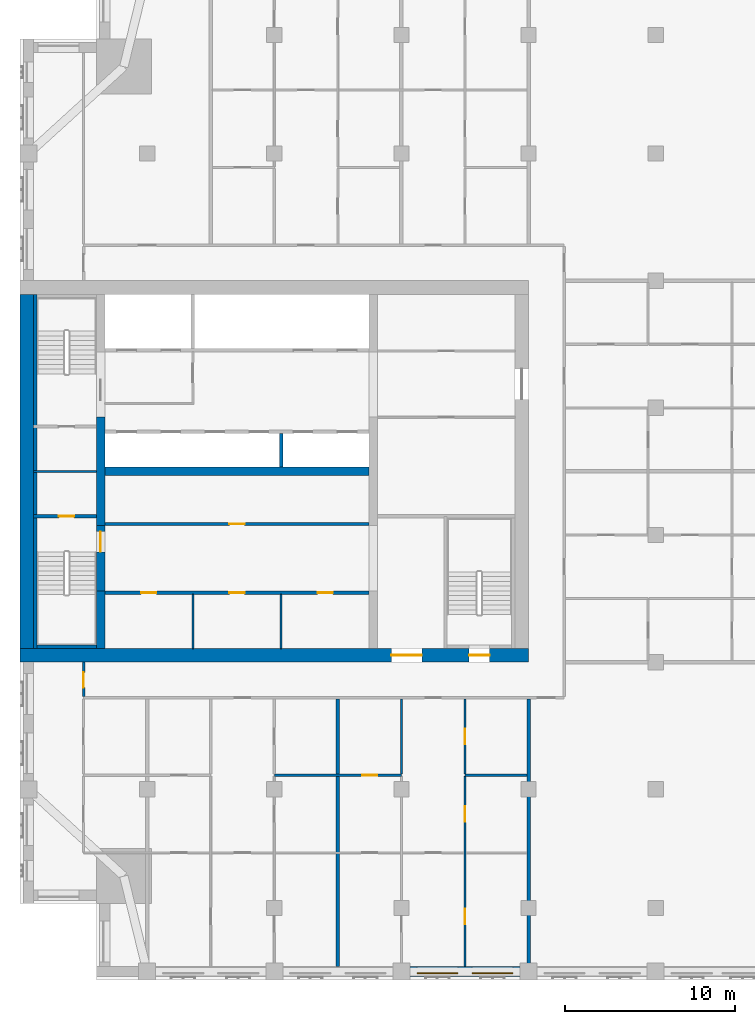
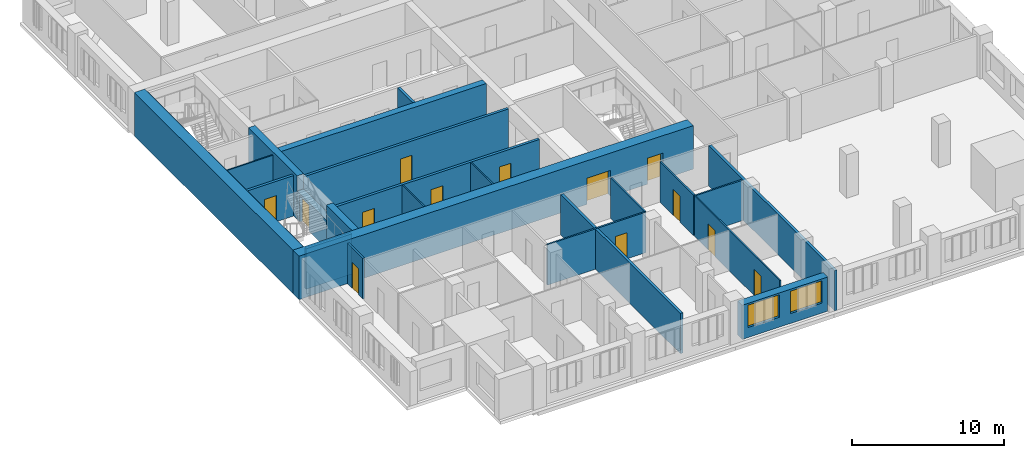
# One storey, part 7 of 14: 24 walls, 13 doors, 2 windows, 15 openings.
"""IFC4 building model written with IfcOpenShell, lengths in metres."""

from ifc_helpers import new_model, si_unit, direction, frame, frame_2d, origin, place, context, subcontext, project, spatial, rectangle, extrude, material, layer, layer_set, type_object, element, fill, save


model = new_model("IFC4")

# Units and contexts
model_context = context("Model", 3, precision=1e-05, world=origin(), true_north=direction((0.0, 1.0)))
body_context = subcontext(model_context, "Body", "Model", "MODEL_VIEW")
ifc_project = project(units=[si_unit("LENGTHUNIT", "METRE"), si_unit("AREAUNIT", "SQUARE_METRE"), si_unit("VOLUMEUNIT", "CUBIC_METRE"), si_unit("PLANEANGLEUNIT", "RADIAN"), si_unit("MASSUNIT", "GRAM", prefix="KILO")], contexts=[model_context])

# Site, building, storey
site_placement = place(None, origin())
site = spatial("IfcSite", under=ifc_project, at=site_placement, CompositionType="ELEMENT")
building_placement = place(site_placement, origin())
building = spatial("IfcBuilding", under=site, at=building_placement, Name="Tamorin Gate", CompositionType="ELEMENT")
storey_placement = place(building_placement, frame((0.0, 0.0, 207.199951171875)))
storey = spatial("IfcBuildingStorey", under=building, at=storey_placement, Name="L51", CompositionType="ELEMENT", Elevation=207.199951171875)

# Wall, openings, windows
ifc_material_1 = material(Name="Precast concrete C40/50", Category="concrete")
ifc_layer_1 = layer(ifc_material_1, 0.60009765625)
ifc_layer_set_1 = layer_set([ifc_layer_1], Name="Precast concrete C40/50")
wall_type_1 = type_object("IfcWallType", Name="Board-marked concrete facade panel 600", PredefinedType="SOLIDWALL", material=ifc_layer_set_1)
wall_1_placement = place(storey_placement, frame((53.0, 41.75, 0.0), z_axis=(0.0, 0.0, 1.0), x_axis=(1.0, 0.0, 0.0)))
wall_1 = element("IfcWall", 1, at=wall_1_placement, inside=storey, type_object=wall_type_1, Name="Facade panel", PredefinedType="SOLIDWALL", context=body_context, shape_type="SweptSolid", body=[
    extrude(rectangle(XDim=6.5, YDim=0.60009765625, at=frame_2d((3.25, 0.0))), origin(), (0.0, 0.0, 1.0), 2.75),
])
opening_1_placement = place(wall_1_placement, frame((0.425048828125, 0.0, 0.800048828125)))
opening_1 = element("IfcOpeningElement", 2, at=opening_1_placement, cuts=wall_1, Name="Opening WN1", PredefinedType="OPENING", context=body_context, shape_type="SweptSolid", body=[
    extrude(rectangle(XDim=2.39990234375, YDim=1.800048828125, at=frame_2d((1.199951171875, 0.89990234375))), frame((0.0, 0.31005859375, 0.0), z_axis=(0.0, -1.0, 0.0), x_axis=(1.0, 0.0, 0.0)), (0.0, 0.0, 1.0), 0.6201171875),
])
opening_2_placement = place(wall_1_placement, frame((3.675048828125, 0.0, 0.800048828125)))
opening_2 = element("IfcOpeningElement", 3, at=opening_2_placement, cuts=wall_1, Name="Opening WN1", PredefinedType="OPENING", context=body_context, shape_type="SweptSolid", body=[
    extrude(rectangle(XDim=2.39990234375, YDim=1.800048828125, at=frame_2d((1.199951171875, 0.89990234375))), frame((0.0, 0.31005859375, 0.0), z_axis=(0.0, -1.0, 0.0), x_axis=(1.0, 0.0, 0.0)), (0.0, 0.0, 1.0), 0.6201171875),
])
ifc_material_2 = material(Name="Clear glass in aluminium frame", Category="aluminium")
window_type = type_object("IfcWindowType", Name="Deep-set window 2400x1800", PartitioningType="SINGLE_PANEL", PredefinedType="WINDOW", material=ifc_material_2)
window_1_placement = place(opening_1_placement, origin())
window_1 = element("IfcWindow", 4, at=window_1_placement, inside=storey, type_object=window_type, Name="Deep-set window", OverallHeight=1.800048828125, OverallWidth=2.39990234375, PartitioningType="SINGLE_PANEL", PredefinedType="WINDOW", context=body_context, shape_type="SweptSolid", body=[
    extrude(rectangle(XDim=2.39990234375, YDim=1.800048828125, at=frame_2d((1.199951171875, 0.89990234375))), frame((0.0, -0.070068359375, 0.0), z_axis=(0.0, -1.0, 0.0), x_axis=(1.0, 0.0, 0.0)), (0.0, 0.0, 1.0), 0.06005859375),
])
fill(opening_1, window_1)
window_2_placement = place(opening_2_placement, origin())
window_2 = element("IfcWindow", 5, at=window_2_placement, inside=storey, type_object=window_type, Name="Deep-set window", OverallHeight=1.800048828125, OverallWidth=2.39990234375, PartitioningType="SINGLE_PANEL", PredefinedType="WINDOW", context=body_context, shape_type="SweptSolid", body=[
    extrude(rectangle(XDim=2.39990234375, YDim=1.800048828125, at=frame_2d((1.199951171875, 0.89990234375))), frame((0.0, -0.070068359375, 0.0), z_axis=(0.0, -1.0, 0.0), x_axis=(1.0, 0.0, 0.0)), (0.0, 0.0, 1.0), 0.06005859375),
])
fill(opening_2, window_2)

# Wall, opening, door
ifc_material_3 = material(Name="Gypsum board partition")
ifc_layer_2 = layer(ifc_material_3, 0.14990234375)
ifc_layer_set_2 = layer_set([ifc_layer_2], Name="Corridor wall 150")
wall_type_2 = type_object("IfcWallType", Name="Corridor wall 150", PredefinedType="PARTITIONING", material=ifc_layer_set_2)
wall_2_placement = place(storey_placement, frame((33.75, 57.97509765625, 0.0), z_axis=(0.0, 0.0, 1.0), x_axis=(0.0, 1.0, 0.0)))
wall_2 = element("IfcWall", 6, at=wall_2_placement, inside=storey, type_object=wall_type_2, Name="Corridor wall 150", PredefinedType="PARTITIONING", context=body_context, shape_type="SweptSolid", body=[
    extrude(rectangle(XDim=2.02490234375, YDim=0.14990234375, at=frame_2d((1.012451171875, 0.0))), origin(), (0.0, 0.0, 1.0), 3.25),
])
opening_3_placement = place(wall_2_placement, frame((0.52490234375, 0.0, 0.0)))
opening_3 = element("IfcOpeningElement", 7, at=opening_3_placement, cuts=wall_2, Name="Opening DR1001", PredefinedType="OPENING", context=body_context, shape_type="SweptSolid", body=[
    extrude(rectangle(XDim=0.89990234375, YDim=2.10009765625, at=frame_2d((0.449951171875, 1.050048828125))), frame((0.0, 0.0849609375, 0.0), z_axis=(0.0, -1.0, 0.0), x_axis=(1.0, 0.0, 0.0)), (0.0, 0.0, 1.0), 0.169921875),
])
ifc_material_4 = material(Name="Timber door leaf", Category="wood")
door_type_1 = type_object("IfcDoorType", Name="Door 900 x 2100 FD30S", OperationType="NOTDEFINED", PredefinedType="DOOR", material=ifc_material_4)
door_1_placement = place(opening_3_placement, origin())
door_1 = element("IfcDoor", 8, at=door_1_placement, inside=storey, type_object=door_type_1, Name="Door DR1001", OperationType="SINGLE_SWING_LEFT", OverallHeight=2.10009765625, OverallWidth=0.89990234375, PredefinedType="DOOR", context=body_context, shape_type="SweptSolid", body=[
    extrude(rectangle(XDim=0.89990234375, YDim=2.10009765625, at=frame_2d((0.449951171875, 1.050048828125))), frame((0.0, 0.02490234375, 0.0), z_axis=(0.0, -1.0, 0.0), x_axis=(1.0, 0.0, 0.0)), (0.0, 0.0, 1.0), 0.050048828125),
])
fill(opening_3, door_1)

# Walls
ifc_layer_3 = layer(ifc_material_3, 0.199951171875)
ifc_layer_set_3 = layer_set([ifc_layer_3], Name="Demising wall 200")
wall_type_3 = type_object("IfcWallType", Name="Demising wall 200", PredefinedType="PARTITIONING", material=ifc_layer_set_3)
wall_3_placement = place(storey_placement, frame((48.75, 42.06005859375, 0.0), z_axis=(0.0, 0.0, 1.0), x_axis=(0.0, 1.0, 0.0)))
element("IfcWall", 9, at=wall_3_placement, inside=storey, type_object=wall_type_3, Name="Demising wall 200", PredefinedType="PARTITIONING", context=body_context, shape_type="SweptSolid", body=[
    extrude(rectangle(XDim=15.764892578125, YDim=0.199951171875, at=frame_2d((7.88232421875, 0.0))), origin(), (0.0, 0.0, 1.0), 3.25),
])
wall_4_placement = place(storey_placement, frame((60.0, 41.25, 0.0), z_axis=(0.0, 0.0, 1.0), x_axis=(0.0, 1.0, 0.0)))
element("IfcWall", 10, at=wall_4_placement, inside=storey, type_object=wall_type_3, Name="Demising wall 200", PredefinedType="PARTITIONING", context=body_context, shape_type="SweptSolid", body=[
    extrude(rectangle(XDim=16.574951171875, YDim=0.199951171875, at=frame_2d((8.28759765625, 0.0))), origin(), (0.0, 0.0, 1.0), 3.25),
])
ifc_material_5 = material(Name="Concrete C32/40", Category="concrete")
ifc_layer_4 = layer(ifc_material_5, 0.199951171875)
ifc_layer_set_4 = layer_set([ifc_layer_4], Name="Lift shaft wall 200 EI 120")
wall_type_4 = type_object("IfcWallType", Name="Lift shaft wall 200 EI 120", PredefinedType="SOLIDWALL", material=ifc_layer_set_4)
wall_5_placement = place(storey_placement, frame((45.39990234375, 71.5, 0.0), z_axis=(0.0, 0.0, 1.0), x_axis=(0.0, 1.0, 0.0)))
element("IfcWall", 11, at=wall_5_placement, inside=storey, type_object=wall_type_4, Name="Lift shaft wall", PredefinedType="SOLIDWALL", context=body_context, shape_type="SweptSolid", body=[
    extrude(rectangle(XDim=2.0, YDim=0.199951171875, at=frame_2d((1.0, 0.0))), origin(), (0.0, 0.0, 1.0), 3.5),
])
ifc_material_6 = material(Name="Concrete C60/75", Category="concrete")
ifc_layer_5 = layer(ifc_material_6, 0.5)
ifc_layer_set_5 = layer_set([ifc_layer_5], Name="RC core internal wall 500 C60/75")
wall_type_5 = type_object("IfcWallType", Name="RC core internal wall 500 C60/75", PredefinedType="SHEAR", material=ifc_layer_set_5)
wall_6_placement = place(storey_placement, frame((35.0, 71.25, 0.0), z_axis=(0.0, 0.0, 1.0), x_axis=(1.0, 0.0, 0.0)))
element("IfcWall", 12, at=wall_6_placement, inside=storey, type_object=wall_type_5, Name="Core spine wall L51", PredefinedType="SHEAR", context=body_context, shape_type="SweptSolid", body=[
    extrude(rectangle(XDim=15.60009765625, YDim=0.5, at=frame_2d((7.800048828125, 0.0))), origin(), (0.0, 0.0, 1.0), 3.5),
])
wall_7_placement = place(storey_placement, frame((34.75, 60.800048828125, 0.0), z_axis=(0.0, 0.0, 1.0), x_axis=(0.0, 1.0, 0.0)))
element("IfcWall", 13, at=wall_7_placement, inside=storey, type_object=wall_type_5, Name="Core cross wall L51", PredefinedType="SHEAR", context=body_context, shape_type="SweptSolid", body=[
    extrude(rectangle(XDim=3.39990234375, YDim=0.5, at=frame_2d((1.699951171875, 0.0))), origin(), (0.0, 0.0, 1.0), 3.5),
])
wall_8_placement = place(storey_placement, frame((34.75, 68.050048828125, 0.0), z_axis=(0.0, 0.0, 1.0), x_axis=(0.0, 1.0, 0.0)))
element("IfcWall", 14, at=wall_8_placement, inside=storey, type_object=wall_type_5, Name="Core cross wall L51", PredefinedType="SHEAR", context=body_context, shape_type="SweptSolid", body=[
    extrude(rectangle(XDim=6.39990234375, YDim=0.5, at=frame_2d((3.199951171875, 0.0))), origin(), (0.0, 0.0, 1.0), 3.5),
])

# Wall, openings, doors
ifc_layer_6 = layer(ifc_material_6, 0.800048828125)
ifc_layer_set_6 = layer_set([ifc_layer_6], Name="RC core wall 800 C60/75")
wall_type_6 = type_object("IfcWallType", Name="RC core wall 800 C60/75", PredefinedType="SHEAR", material=ifc_layer_set_6)
wall_9_placement = place(storey_placement, frame((30.0, 60.39990234375, 0.0), z_axis=(0.0, 0.0, 1.0), x_axis=(1.0, 0.0, 0.0)))
wall_9 = element("IfcWall", 15, at=wall_9_placement, inside=storey, type_object=wall_type_6, Name="Core wall L51", PredefinedType="SHEAR", context=body_context, shape_type="SweptSolid", body=[
    extrude(rectangle(XDim=30.0, YDim=0.800048828125, at=frame_2d((15.0, 0.0))), origin(), (0.0, 0.0, 1.0), 3.5),
])
opening_4_placement = place(wall_9_placement, frame((21.89990234375, 0.0, 0.0)))
opening_4 = element("IfcOpeningElement", 16, at=opening_4_placement, cuts=wall_9, Name="Opening DE1", PredefinedType="OPENING", context=body_context, shape_type="SweptSolid", body=[
    extrude(rectangle(XDim=1.800048828125, YDim=2.10009765625, at=frame_2d((0.89990234375, 1.050048828125))), frame((0.0, 0.409912109375, 0.0), z_axis=(0.0, -1.0, 0.0), x_axis=(1.0, 0.0, 0.0)), (0.0, 0.0, 1.0), 0.820068359375),
])
opening_5_placement = place(wall_9_placement, frame((26.5, 0.0, 0.0)))
opening_5 = element("IfcOpeningElement", 17, at=opening_5_placement, cuts=wall_9, Name="Opening DS1", PredefinedType="OPENING", context=body_context, shape_type="SweptSolid", body=[
    extrude(rectangle(XDim=1.199951171875, YDim=2.10009765625, at=frame_2d((0.60009765625, 1.050048828125))), frame((0.0, 0.409912109375, 0.0), z_axis=(0.0, -1.0, 0.0), x_axis=(1.0, 0.0, 0.0)), (0.0, 0.0, 1.0), 0.820068359375),
])
ifc_material_7 = material(Name="Steel fire door", Category="steel")
door_type_2 = type_object("IfcDoorType", Name="Lobby exit double door 1800 x 2100 EI 60", OperationType="DOUBLE_DOOR_SINGLE_SWING", PredefinedType="DOOR", material=ifc_material_7)
door_2_placement = place(opening_4_placement, origin())
door_2 = element("IfcDoor", 18, at=door_2_placement, inside=storey, type_object=door_type_2, Name="Lift lobby A exit door", OperationType="DOUBLE_DOOR_SINGLE_SWING", OverallHeight=2.10009765625, OverallWidth=1.800048828125, PredefinedType="DOOR", context=body_context, shape_type="SweptSolid", body=[
    extrude(rectangle(XDim=1.800048828125, YDim=2.10009765625, at=frame_2d((0.89990234375, 1.050048828125))), frame((0.0, 0.02490234375, 0.0), z_axis=(0.0, -1.0, 0.0), x_axis=(1.0, 0.0, 0.0)), (0.0, 0.0, 1.0), 0.050048828125),
])
fill(opening_4, door_2)
door_type_3 = type_object("IfcDoorType", Name="Stair door 1200 x 2100 EI 90", OperationType="SINGLE_SWING_LEFT", PredefinedType="DOOR", material=ifc_material_7)
door_3_placement = place(opening_5_placement, origin())
door_3 = element("IfcDoor", 19, at=door_3_placement, inside=storey, type_object=door_type_3, Name="ST3 door", OperationType="SINGLE_SWING_LEFT", OverallHeight=2.10009765625, OverallWidth=1.199951171875, PredefinedType="DOOR", context=body_context, shape_type="SweptSolid", body=[
    extrude(rectangle(XDim=1.199951171875, YDim=2.10009765625, at=frame_2d((0.60009765625, 1.050048828125))), frame((0.0, 0.02490234375, 0.0), z_axis=(0.0, -1.0, 0.0), x_axis=(1.0, 0.0, 0.0)), (0.0, 0.0, 1.0), 0.050048828125),
])
fill(opening_5, door_3)

# Walls
wall_10_placement = place(storey_placement, frame((30.39990234375, 60.800048828125, 0.0), z_axis=(0.0, 0.0, 1.0), x_axis=(0.0, 1.0, 0.0)))
element("IfcWall", 20, at=wall_10_placement, inside=storey, type_object=wall_type_6, Name="Core wall L51", PredefinedType="SHEAR", context=body_context, shape_type="SweptSolid", body=[
    extrude(rectangle(XDim=20.89990234375, YDim=0.800048828125, at=frame_2d((10.449951171875, 0.0))), origin(), (0.0, 0.0, 1.0), 3.5),
])
ifc_material_8 = material(Name="Fire-rated gypsum board partition")
ifc_layer_7 = layer(ifc_material_8, 0.10009765625)
ifc_layer_set_7 = layer_set([ifc_layer_7], Name="Riser partition 100 EI 120")
wall_type_7 = type_object("IfcWallType", Name="Riser partition 100 EI 120", PredefinedType="PARTITIONING", material=ifc_layer_set_7)
wall_11_placement = place(storey_placement, frame((30.800048828125, 71.25, 0.0), z_axis=(0.0, 0.0, 1.0), x_axis=(1.0, 0.0, 0.0)))
element("IfcWall", 21, at=wall_11_placement, inside=storey, type_object=wall_type_7, Name="Riser partition", PredefinedType="PARTITIONING", context=body_context, shape_type="SweptSolid", body=[
    extrude(rectangle(XDim=3.699951171875, YDim=0.10009765625, at=frame_2d((1.85009765625, 0.0))), origin(), (0.0, 0.0, 1.0), 3.25),
])

# Wall, openings, doors
ifc_layer_8 = layer(ifc_material_3, 0.10009765625)
ifc_layer_set_8 = layer_set([ifc_layer_8], Name="Room partition 100")
wall_type_8 = type_object("IfcWallType", Name="Room partition 100", PredefinedType="PARTITIONING", material=ifc_layer_set_8)
wall_12_placement = place(storey_placement, frame((56.25, 42.06005859375, 0.0), z_axis=(0.0, 0.0, 1.0), x_axis=(0.0, 1.0, 0.0)))
wall_12 = element("IfcWall", 22, at=wall_12_placement, inside=storey, type_object=wall_type_8, Name="Room partition 100", PredefinedType="PARTITIONING", context=body_context, shape_type="SweptSolid", body=[
    extrude(rectangle(XDim=11.202392578125, YDim=0.10009765625, at=frame_2d((5.60107421875, 0.0))), origin(), (0.0, 0.0, 1.0), 3.25),
])
opening_6_placement = place(wall_12_placement, frame((8.527587890625, 0.0, 0.0)))
opening_6 = element("IfcOpeningElement", 23, at=opening_6_placement, cuts=wall_12, Name="Opening DR1016", PredefinedType="OPENING", context=body_context, shape_type="SweptSolid", body=[
    extrude(rectangle(XDim=0.89990234375, YDim=2.10009765625, at=frame_2d((0.449951171875, 1.050048828125))), frame((0.0, 0.06005859375, 0.0), z_axis=(0.0, -1.0, 0.0), x_axis=(1.0, 0.0, 0.0)), (0.0, 0.0, 1.0), 0.1201171875),
])
opening_7_placement = place(wall_12_placement, frame((2.489990234375, 0.0, 0.0)))
opening_7 = element("IfcOpeningElement", 24, at=opening_7_placement, cuts=wall_12, Name="Opening DR1019", PredefinedType="OPENING", context=body_context, shape_type="SweptSolid", body=[
    extrude(rectangle(XDim=0.89990234375, YDim=2.10009765625, at=frame_2d((0.449951171875, 1.050048828125))), frame((0.0, 0.06005859375, 0.0), z_axis=(0.0, -1.0, 0.0), x_axis=(1.0, 0.0, 0.0)), (0.0, 0.0, 1.0), 0.1201171875),
])
door_type_4 = type_object("IfcDoorType", Name="Door 900 x 2100", OperationType="NOTDEFINED", PredefinedType="DOOR", material=ifc_material_4)
door_4_placement = place(opening_6_placement, origin())
door_4 = element("IfcDoor", 25, at=door_4_placement, inside=storey, type_object=door_type_4, Name="Door DR1016", OperationType="SINGLE_SWING_RIGHT", OverallHeight=2.10009765625, OverallWidth=0.89990234375, PredefinedType="DOOR", context=body_context, shape_type="SweptSolid", body=[
    extrude(rectangle(XDim=0.89990234375, YDim=2.10009765625, at=frame_2d((0.449951171875, 1.050048828125))), frame((0.0, 0.02490234375, 0.0), z_axis=(0.0, -1.0, 0.0), x_axis=(1.0, 0.0, 0.0)), (0.0, 0.0, 1.0), 0.050048828125),
])
fill(opening_6, door_4)
door_5_placement = place(opening_7_placement, origin())
door_5 = element("IfcDoor", 26, at=door_5_placement, inside=storey, type_object=door_type_4, Name="Door DR1019", OperationType="SINGLE_SWING_LEFT", OverallHeight=2.10009765625, OverallWidth=0.89990234375, PredefinedType="DOOR", context=body_context, shape_type="SweptSolid", body=[
    extrude(rectangle(XDim=0.89990234375, YDim=2.10009765625, at=frame_2d((0.449951171875, 1.050048828125))), frame((0.0, 0.02490234375, 0.0), z_axis=(0.0, -1.0, 0.0), x_axis=(1.0, 0.0, 0.0)), (0.0, 0.0, 1.0), 0.050048828125),
])
fill(opening_7, door_5)

ifc_layer_9 = layer(ifc_material_3, 0.199951171875)
ifc_layer_set_9 = layer_set([ifc_layer_9], Name="Service room face wall 200 EI 60")
wall_type_9 = type_object("IfcWallType", Name="Service room face wall 200 EI 60", PredefinedType="PARTITIONING", material=ifc_layer_set_9)
wall_13_placement = place(storey_placement, frame((35.0, 64.10009765625, 0.0), z_axis=(0.0, 0.0, 1.0), x_axis=(1.0, 0.0, 0.0)))
wall_13 = element("IfcWall", 27, at=wall_13_placement, inside=storey, type_object=wall_type_9, Name="Service room face wall", PredefinedType="PARTITIONING", context=body_context, shape_type="SweptSolid", body=[
    extrude(rectangle(XDim=15.60009765625, YDim=0.199951171875, at=frame_2d((7.800048828125, 0.0))), origin(), (0.0, 0.0, 1.0), 3.25),
])
opening_8_placement = place(wall_13_placement, frame((2.14990234375, 0.0, 0.0)))
opening_8 = element("IfcOpeningElement", 28, at=opening_8_placement, cuts=wall_13, Name="Opening DK1", PredefinedType="OPENING", context=body_context, shape_type="SweptSolid", body=[
    extrude(rectangle(XDim=0.89990234375, YDim=2.10009765625, at=frame_2d((0.449951171875, 1.050048828125))), frame((0.0, 0.10986328125, 0.0), z_axis=(0.0, -1.0, 0.0), x_axis=(1.0, 0.0, 0.0)), (0.0, 0.0, 1.0), 0.219970703125),
])
opening_9_placement = place(wall_13_placement, frame((7.35009765625, 0.0, 0.0)))
opening_9 = element("IfcOpeningElement", 29, at=opening_9_placement, cuts=wall_13, Name="Opening DK1", PredefinedType="OPENING", context=body_context, shape_type="SweptSolid", body=[
    extrude(rectangle(XDim=0.89990234375, YDim=2.10009765625, at=frame_2d((0.449951171875, 1.050048828125))), frame((0.0, 0.10986328125, 0.0), z_axis=(0.0, -1.0, 0.0), x_axis=(1.0, 0.0, 0.0)), (0.0, 0.0, 1.0), 0.219970703125),
])
opening_10_placement = place(wall_13_placement, frame((12.550048828125, 0.0, 0.0)))
opening_10 = element("IfcOpeningElement", 30, at=opening_10_placement, cuts=wall_13, Name="Opening DK1", PredefinedType="OPENING", context=body_context, shape_type="SweptSolid", body=[
    extrude(rectangle(XDim=0.89990234375, YDim=2.10009765625, at=frame_2d((0.449951171875, 1.050048828125))), frame((0.0, 0.10986328125, 0.0), z_axis=(0.0, -1.0, 0.0), x_axis=(1.0, 0.0, 0.0)), (0.0, 0.0, 1.0), 0.219970703125),
])
ifc_material_9 = material(Name="Timber fire door", Category="wood")
door_type_5 = type_object("IfcDoorType", Name="Service room door 900 x 2100 EI 60", OperationType="SINGLE_SWING_LEFT", PredefinedType="DOOR", material=ifc_material_9)
door_6_placement = place(opening_8_placement, origin())
door_6 = element("IfcDoor", 31, at=door_6_placement, inside=storey, type_object=door_type_5, Name="Door Housekeeping store", OperationType="SINGLE_SWING_LEFT", OverallHeight=2.10009765625, OverallWidth=0.89990234375, PredefinedType="DOOR", context=body_context, shape_type="SweptSolid", body=[
    extrude(rectangle(XDim=0.89990234375, YDim=2.10009765625, at=frame_2d((0.449951171875, 1.050048828125))), frame((0.0, 0.02490234375, 0.0), z_axis=(0.0, -1.0, 0.0), x_axis=(1.0, 0.0, 0.0)), (0.0, 0.0, 1.0), 0.050048828125),
])
fill(opening_8, door_6)
door_7_placement = place(opening_9_placement, origin())
door_7 = element("IfcDoor", 32, at=door_7_placement, inside=storey, type_object=door_type_5, Name="Door Parcel and storage room", OperationType="SINGLE_SWING_RIGHT", OverallHeight=2.10009765625, OverallWidth=0.89990234375, PredefinedType="DOOR", context=body_context, shape_type="SweptSolid", body=[
    extrude(rectangle(XDim=0.89990234375, YDim=2.10009765625, at=frame_2d((0.449951171875, 1.050048828125))), frame((0.0, 0.02490234375, 0.0), z_axis=(0.0, -1.0, 0.0), x_axis=(1.0, 0.0, 0.0)), (0.0, 0.0, 1.0), 0.050048828125),
])
fill(opening_9, door_7)
door_8_placement = place(opening_10_placement, origin())
door_8 = element("IfcDoor", 33, at=door_8_placement, inside=storey, type_object=door_type_5, Name="Door Refuse and recycling room", OperationType="SINGLE_SWING_LEFT", OverallHeight=2.10009765625, OverallWidth=0.89990234375, PredefinedType="DOOR", context=body_context, shape_type="SweptSolid", body=[
    extrude(rectangle(XDim=0.89990234375, YDim=2.10009765625, at=frame_2d((0.449951171875, 1.050048828125))), frame((0.0, 0.02490234375, 0.0), z_axis=(0.0, -1.0, 0.0), x_axis=(1.0, 0.0, 0.0)), (0.0, 0.0, 1.0), 0.050048828125),
])
fill(opening_10, door_8)

# Wall, opening, door
wall_14_placement = place(storey_placement, frame((35.0, 68.14990234375, 0.0), z_axis=(0.0, 0.0, 1.0), x_axis=(1.0, 0.0, 0.0)))
wall_14 = element("IfcWall", 34, at=wall_14_placement, inside=storey, type_object=wall_type_9, Name="Service room face wall", PredefinedType="PARTITIONING", context=body_context, shape_type="SweptSolid", body=[
    extrude(rectangle(XDim=15.60009765625, YDim=0.199951171875, at=frame_2d((7.800048828125, 0.0))), origin(), (0.0, 0.0, 1.0), 3.25),
])
opening_11_placement = place(wall_14_placement, frame((7.35009765625, 0.0, 0.0)))
opening_11 = element("IfcOpeningElement", 35, at=opening_11_placement, cuts=wall_14, Name="Opening DK1", PredefinedType="OPENING", context=body_context, shape_type="SweptSolid", body=[
    extrude(rectangle(XDim=0.89990234375, YDim=2.10009765625, at=frame_2d((0.449951171875, 1.050048828125))), frame((0.0, 0.10986328125, 0.0), z_axis=(0.0, -1.0, 0.0), x_axis=(1.0, 0.0, 0.0)), (0.0, 0.0, 1.0), 0.219970703125),
])
door_9_placement = place(opening_11_placement, origin())
door_9 = element("IfcDoor", 36, at=door_9_placement, inside=storey, type_object=door_type_5, Name="Door Housekeeping and maintenance store", OperationType="SINGLE_SWING_LEFT", OverallHeight=2.10009765625, OverallWidth=0.89990234375, PredefinedType="DOOR", context=body_context, shape_type="SweptSolid", body=[
    extrude(rectangle(XDim=0.89990234375, YDim=2.10009765625, at=frame_2d((0.449951171875, 1.050048828125))), frame((0.0, 0.02490234375, 0.0), z_axis=(0.0, -1.0, 0.0), x_axis=(1.0, 0.0, 0.0)), (0.0, 0.0, 1.0), 0.050048828125),
])
fill(opening_11, door_9)

# Walls
ifc_layer_10 = layer(ifc_material_3, 0.10009765625)
ifc_layer_set_10 = layer_set([ifc_layer_10], Name="Service room partition 100 EI 60")
wall_type_10 = type_object("IfcWallType", Name="Service room partition 100 EI 60", PredefinedType="PARTITIONING", material=ifc_layer_set_10)
for number, where, z_axis, x_axis, name in (
    (37, (40.199951171875, 60.800048828125, 0.0), (0.0, 0.0, 1.0), (0.0, 1.0, 0.0), "Service room partition"),
    (38, (45.39990234375, 60.800048828125, 0.0), (0.0, 0.0, 1.0), (0.0, 1.0, 0.0), "Service room partition"),
):
    element("IfcWall", number, at=place(storey_placement, frame(where, z_axis=z_axis, x_axis=x_axis)), inside=storey, type_object=wall_type_10, Name=name, PredefinedType="PARTITIONING", context=body_context, shape_type="SweptSolid", body=[
        extrude(rectangle(XDim=3.199951171875, YDim=0.10009765625, at=frame_2d((1.60009765625, 0.0))), origin(), (0.0, 0.0, 1.0), 3.25),
    ])

# Wall, opening, door
ifc_material_10 = material(Name="Concrete C40/50", Category="concrete")
ifc_layer_11 = layer(ifc_material_10, 0.199951171875)
ifc_layer_set_11 = layer_set([ifc_layer_11], Name="Stair enclosure wall 200 EI 120 C40/50")
wall_type_11 = type_object("IfcWallType", Name="Stair enclosure wall 200 EI 120 C40/50", PredefinedType="SOLIDWALL", material=ifc_layer_set_11)
wall_15_placement = place(storey_placement, frame((30.800048828125, 68.60009765625, 0.0), z_axis=(0.0, 0.0, 1.0), x_axis=(1.0, 0.0, 0.0)))
wall_15 = element("IfcWall", 39, at=wall_15_placement, inside=storey, type_object=wall_type_11, Name="Stair enclosure wall", PredefinedType="SOLIDWALL", context=body_context, shape_type="SweptSolid", body=[
    extrude(rectangle(XDim=3.699951171875, YDim=0.199951171875, at=frame_2d((1.85009765625, 0.0))), origin(), (0.0, 0.0, 1.0), 3.25),
])
opening_12_placement = place(wall_15_placement, frame((1.5, 0.0, 0.0)))
opening_12 = element("IfcOpeningElement", 40, at=opening_12_placement, cuts=wall_15, Name="Opening DR1", PredefinedType="OPENING", context=body_context, shape_type="SweptSolid", body=[
    extrude(rectangle(XDim=0.89990234375, YDim=2.10009765625, at=frame_2d((0.449951171875, 1.050048828125))), frame((0.0, 0.10986328125, 0.0), z_axis=(0.0, -1.0, 0.0), x_axis=(1.0, 0.0, 0.0)), (0.0, 0.0, 1.0), 0.219970703125),
])
door_type_6 = type_object("IfcDoorType", Name="Riser access door 900 x 2100 EI 120", OperationType="SINGLE_SWING_LEFT", PredefinedType="DOOR", material=ifc_material_7)
door_10_placement = place(opening_12_placement, origin())
door_10 = element("IfcDoor", 41, at=door_10_placement, inside=storey, type_object=door_type_6, Name="Electrical riser door", OperationType="SINGLE_SWING_LEFT", OverallHeight=2.10009765625, OverallWidth=0.89990234375, PredefinedType="DOOR", context=body_context, shape_type="SweptSolid", body=[
    extrude(rectangle(XDim=0.89990234375, YDim=2.10009765625, at=frame_2d((0.449951171875, 1.050048828125))), frame((0.0, 0.02490234375, 0.0), z_axis=(0.0, -1.0, 0.0), x_axis=(1.0, 0.0, 0.0)), (0.0, 0.0, 1.0), 0.050048828125),
])
fill(opening_12, door_10)

# Walls
ifc_layer_12 = layer(ifc_material_6, 0.199951171875)
ifc_layer_set_12 = layer_set([ifc_layer_12], Name="Stair lining wall 200 EI 120 C60/75")
wall_type_12 = type_object("IfcWallType", Name="Stair lining wall 200 EI 120 C60/75", PredefinedType="SOLIDWALL", material=ifc_layer_set_12)
wall_16_placement = place(storey_placement, frame((30.89990234375, 60.800048828125, 0.0), z_axis=(0.0, 0.0, 1.0), x_axis=(0.0, 1.0, 0.0)))
element("IfcWall", 42, at=wall_16_placement, inside=storey, type_object=wall_type_12, Name="Stair lining wall", PredefinedType="SOLIDWALL", context=body_context, shape_type="SweptSolid", body=[
    extrude(rectangle(XDim=20.89990234375, YDim=0.199951171875, at=frame_2d((10.449951171875, 0.0))), origin(), (0.0, 0.0, 1.0), 3.25),
])
wall_17_placement = place(storey_placement, frame((31.0, 60.89990234375, 0.0), z_axis=(0.0, 0.0, 1.0), x_axis=(1.0, 0.0, 0.0)))
element("IfcWall", 43, at=wall_17_placement, inside=storey, type_object=wall_type_12, Name="Stair lining wall", PredefinedType="SOLIDWALL", context=body_context, shape_type="SweptSolid", body=[
    extrude(rectangle(XDim=3.5, YDim=0.199951171875, at=frame_2d((1.75, 0.0))), origin(), (0.0, 0.0, 1.0), 3.25),
])

# Wall, opening, door
ifc_layer_13 = layer(ifc_material_5, 0.5)
ifc_layer_set_13 = layer_set([ifc_layer_13], Name="Stair lobby infill wall 500 EI 120")
wall_type_13 = type_object("IfcWallType", Name="Stair lobby infill wall 500 EI 120", PredefinedType="SOLIDWALL", material=ifc_layer_set_13)
wall_18_placement = place(storey_placement, frame((34.75, 64.199951171875, 0.0), z_axis=(0.0, 0.0, 1.0), x_axis=(0.0, 1.0, 0.0)))
wall_18 = element("IfcWall", 44, at=wall_18_placement, inside=storey, type_object=wall_type_13, Name="Stair lobby infill wall", PredefinedType="SOLIDWALL", context=body_context, shape_type="SweptSolid", body=[
    extrude(rectangle(XDim=3.85009765625, YDim=0.5, at=frame_2d((1.925048828125, 0.0))), origin(), (0.0, 0.0, 1.0), 2.300048828125),
])
opening_13_placement = place(wall_18_placement, frame((2.300048828125, 0.0, 0.0)))
opening_13 = element("IfcOpeningElement", 45, at=opening_13_placement, cuts=wall_18, Name="Opening DS1", PredefinedType="OPENING", context=body_context, shape_type="SweptSolid", body=[
    extrude(rectangle(XDim=1.199951171875, YDim=2.10009765625, at=frame_2d((0.60009765625, 1.050048828125))), frame((0.0, 0.260009765625, 0.0), z_axis=(0.0, -1.0, 0.0), x_axis=(1.0, 0.0, 0.0)), (0.0, 0.0, 1.0), 0.52001953125),
])
door_11_placement = place(opening_13_placement, origin())
door_11 = element("IfcDoor", 46, at=door_11_placement, inside=storey, type_object=door_type_3, Name="ST1 door", OperationType="SINGLE_SWING_LEFT", OverallHeight=2.10009765625, OverallWidth=1.199951171875, PredefinedType="DOOR", context=body_context, shape_type="SweptSolid", body=[
    extrude(rectangle(XDim=1.199951171875, YDim=2.10009765625, at=frame_2d((0.60009765625, 1.050048828125))), frame((0.0, 0.02490234375, 0.0), z_axis=(0.0, -1.0, 0.0), x_axis=(1.0, 0.0, 0.0)), (0.0, 0.0, 1.0), 0.050048828125),
])
fill(opening_13, door_11)

ifc_layer_14 = layer(ifc_material_3, 0.125)
ifc_layer_set_14 = layer_set([ifc_layer_14], Name="Wet wall 125")
wall_type_14 = type_object("IfcWallType", Name="Wet wall 125", PredefinedType="PARTITIONING", material=ifc_layer_set_14)
wall_19_placement = place(storey_placement, frame((45.0, 53.324951171875, 0.0), z_axis=(0.0, 0.0, 1.0), x_axis=(1.0, 0.0, 0.0)))
wall_19 = element("IfcWall", 47, at=wall_19_placement, inside=storey, type_object=wall_type_14, Name="Wet wall 125", PredefinedType="PARTITIONING", context=body_context, shape_type="SweptSolid", body=[
    extrude(rectangle(XDim=7.5, YDim=0.125, at=frame_2d((3.75, 0.0))), origin(), (0.0, 0.0, 1.0), 3.25),
])
opening_14_placement = place(wall_19_placement, frame((5.175048828125, 0.0, 0.0)))
opening_14 = element("IfcOpeningElement", 48, at=opening_14_placement, cuts=wall_19, Name="Opening DR1013", PredefinedType="OPENING", context=body_context, shape_type="SweptSolid", body=[
    extrude(rectangle(XDim=0.89990234375, YDim=2.10009765625, at=frame_2d((0.449951171875, 1.050048828125))), frame((0.0, 0.072509765625, 0.0), z_axis=(0.0, -1.0, 0.0), x_axis=(1.0, 0.0, 0.0)), (0.0, 0.0, 1.0), 0.14501953125),
])
door_12_placement = place(opening_14_placement, origin())
door_12 = element("IfcDoor", 49, at=door_12_placement, inside=storey, type_object=door_type_4, Name="Door DR1013", OperationType="SINGLE_SWING_LEFT", OverallHeight=2.10009765625, OverallWidth=0.89990234375, PredefinedType="DOOR", context=body_context, shape_type="SweptSolid", body=[
    extrude(rectangle(XDim=0.89990234375, YDim=2.10009765625, at=frame_2d((0.449951171875, 1.050048828125))), frame((0.0, 0.02490234375, 0.0), z_axis=(0.0, -1.0, 0.0), x_axis=(1.0, 0.0, 0.0)), (0.0, 0.0, 1.0), 0.050048828125),
])
fill(opening_14, door_12)

# Walls
wall_20_placement = place(storey_placement, frame((56.25, 53.324951171875, 0.0), z_axis=(0.0, 0.0, 1.0), x_axis=(1.0, 0.0, 0.0)))
element("IfcWall", 50, at=wall_20_placement, inside=storey, type_object=wall_type_14, Name="Wet wall 125", PredefinedType="PARTITIONING", context=body_context, shape_type="SweptSolid", body=[
    extrude(rectangle(XDim=3.64990234375, YDim=0.125, at=frame_2d((1.824951171875, 0.0))), origin(), (0.0, 0.0, 1.0), 3.25),
])
wall_21_placement = place(storey_placement, frame((52.5, 53.387451171875, 0.0), z_axis=(0.0, 0.0, 1.0), x_axis=(0.0, 1.0, 0.0)))
element("IfcWall", 51, at=wall_21_placement, inside=storey, type_object=wall_type_14, Name="Wet wall 125", PredefinedType="PARTITIONING", context=body_context, shape_type="SweptSolid", body=[
    extrude(rectangle(XDim=4.4375, YDim=0.125, at=frame_2d((2.21875, 0.0))), origin(), (0.0, 0.0, 1.0), 3.25),
])

# Wall, opening, door
wall_22_placement = place(storey_placement, frame((56.25, 53.387451171875, 0.0), z_axis=(0.0, 0.0, 1.0), x_axis=(0.0, 1.0, 0.0)))
wall_22 = element("IfcWall", 52, at=wall_22_placement, inside=storey, type_object=wall_type_14, Name="Wet wall 125", PredefinedType="PARTITIONING", context=body_context, shape_type="SweptSolid", body=[
    extrude(rectangle(XDim=4.4375, YDim=0.125, at=frame_2d((2.21875, 0.0))), origin(), (0.0, 0.0, 1.0), 3.25),
])
opening_15_placement = place(wall_22_placement, frame((1.77490234375, 0.0, 0.0)))
opening_15 = element("IfcOpeningElement", 53, at=opening_15_placement, cuts=wall_22, Name="Opening DR1017", PredefinedType="OPENING", context=body_context, shape_type="SweptSolid", body=[
    extrude(rectangle(XDim=0.89990234375, YDim=2.10009765625, at=frame_2d((0.449951171875, 1.050048828125))), frame((0.0, 0.072509765625, 0.0), z_axis=(0.0, -1.0, 0.0), x_axis=(1.0, 0.0, 0.0)), (0.0, 0.0, 1.0), 0.14501953125),
])
door_13_placement = place(opening_15_placement, origin())
door_13 = element("IfcDoor", 54, at=door_13_placement, inside=storey, type_object=door_type_4, Name="Door DR1017", OperationType="SINGLE_SWING_RIGHT", OverallHeight=2.10009765625, OverallWidth=0.89990234375, PredefinedType="DOOR", context=body_context, shape_type="SweptSolid", body=[
    extrude(rectangle(XDim=0.89990234375, YDim=2.10009765625, at=frame_2d((0.449951171875, 1.050048828125))), frame((0.0, 0.02490234375, 0.0), z_axis=(0.0, -1.0, 0.0), x_axis=(1.0, 0.0, 0.0)), (0.0, 0.0, 1.0), 0.050048828125),
])
fill(opening_15, door_13)

save(model, "model.ifc")
